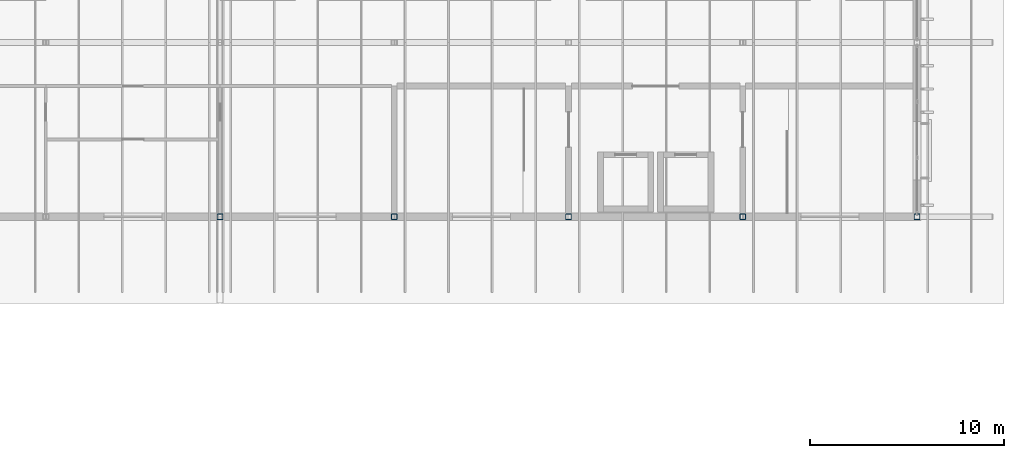
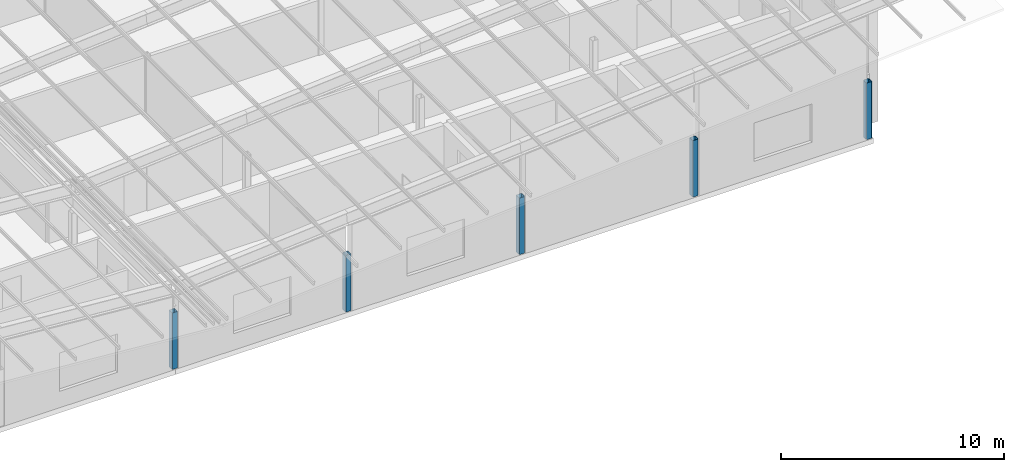
# One storey, part 9 of 85: 5 columns.
"""IFC4 building model written with IfcOpenShell, lengths in metres."""

from ifc_helpers import new_model, si_unit, direction, frame, origin, origin_2d, place, context, subcontext, project, spatial, hollow_rectangle, extrude, material, material_profile, profile_set, type_object, element, save


model = new_model("IFC4")

# Units and contexts
model_context = context("Model", 3, precision=1e-05, world=origin(), true_north=direction((0.0, 1.0)))
body_context = subcontext(model_context, "Body", "Model", "MODEL_VIEW")
ifc_project = project(units=[si_unit("LENGTHUNIT", "METRE"), si_unit("AREAUNIT", "SQUARE_METRE"), si_unit("VOLUMEUNIT", "CUBIC_METRE"), si_unit("PLANEANGLEUNIT", "RADIAN"), si_unit("MASSUNIT", "GRAM", prefix="KILO")], contexts=[model_context])

# Site, building, storey
site_placement = place(None, origin())
site = spatial("IfcSite", under=ifc_project, at=site_placement, CompositionType="ELEMENT")
building_placement = place(site_placement, origin())
building = spatial("IfcBuilding", under=site, at=building_placement, Name="Opaline Strait Convention Centre", CompositionType="ELEMENT")
storey_placement = place(building_placement, frame((0.0, 0.0, 17.0)))
storey = spatial("IfcBuildingStorey", under=building, at=storey_placement, Name="L03", CompositionType="ELEMENT", Elevation=17.0)

# Columns
ifc_material = material(Name="Steel Q355B", Category="steel")
ifc_material_profile = material_profile(ifc_material, hollow_rectangle(XDim=0.300048828125, YDim=0.300048828125, WallThickness=0.011962890625, InnerFilletRadius=0.02392578125, OuterFilletRadius=0.035888671875, at=origin_2d()), Name="RHS 300x300x12")
ifc_profile_set = profile_set([ifc_material_profile], Name="Steel Q355B")
column_type = type_object("IfcColumnType", Name="Roof post RHS 300x300x12", PredefinedType="COLUMN", material=ifc_profile_set)
for number, where, z_axis, x_axis, name in (
    (1, (324.0, 90.0, 0.0), (0.0, 0.0, 1.0), (1.0, 0.0, 0.0), "MRS1 roof post at 37/L"),
    (2, (333.0, 90.0, 0.0), (0.0, 0.0, 1.0), (1.0, 0.0, 0.0), "MRS1 roof post at 38/L"),
    (3, (342.0, 90.0, 0.0), (0.0, 0.0, 1.0), (1.0, 0.0, 0.0), "MRS1 roof post at 39/L"),
    (4, (351.0, 90.0, 0.0), (0.0, 0.0, 1.0), (1.0, 0.0, 0.0), "MRS1 roof post at 40/L"),
    (5, (360.0, 90.0, 0.0), (0.0, 0.0, 1.0), (1.0, 0.0, 0.0), "MRS1 roof post at 41/L"),
):
    element("IfcColumn", number, at=place(storey_placement, frame(where, z_axis=z_axis, x_axis=x_axis)), inside=storey, type_object=column_type, Name=name, PredefinedType="COLUMN", context=body_context, shape_type="SweptSolid", body=[
        extrude(hollow_rectangle(XDim=0.300048828125, YDim=0.300048828125, WallThickness=0.011962890625, InnerFilletRadius=0.02392578125, OuterFilletRadius=0.035888671875, at=origin_2d()), origin(), (0.0, 0.0, 1.0), 3.10009765625),
    ])

save(model, "model.ifc")
